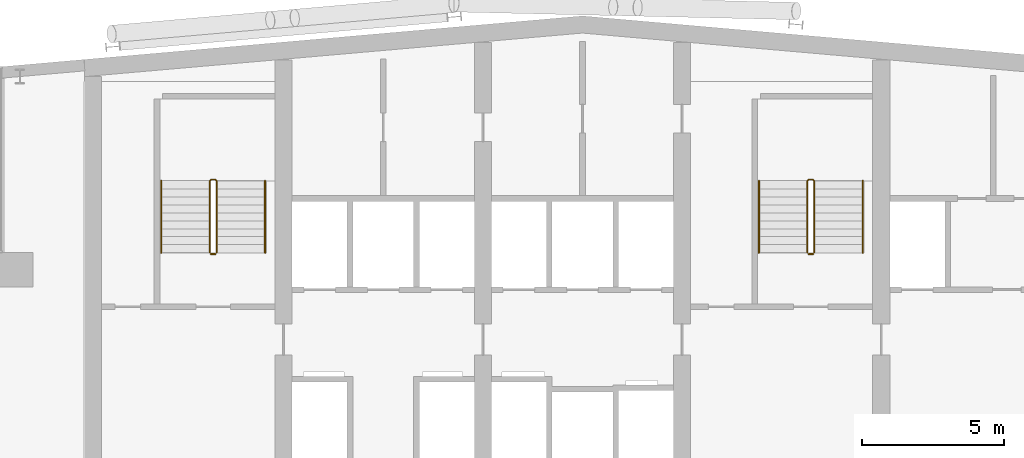
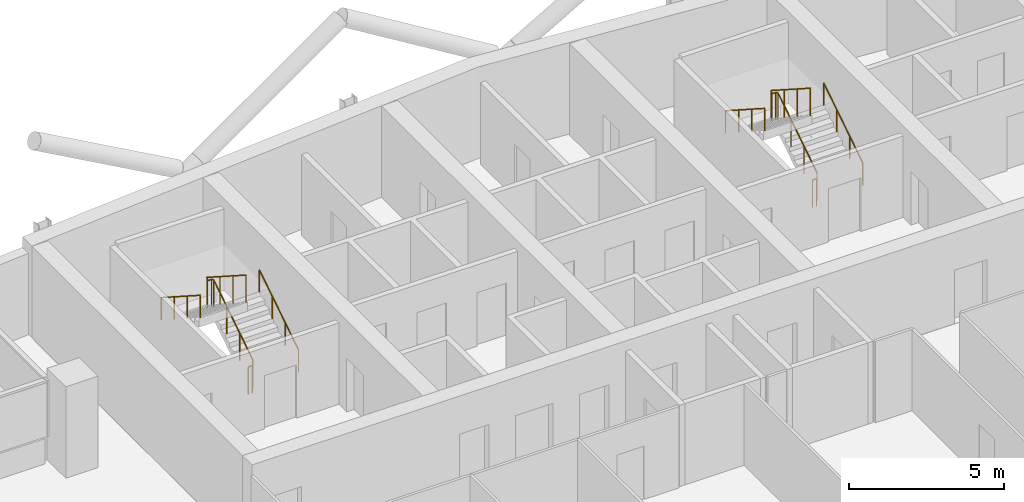
# One storey, part 26 of 26: 8 railings.
"""IFC4 building model written with IfcOpenShell, lengths in metres."""

from ifc_helpers import new_model, si_unit, direction, frame, origin, origin_2d, place, context, subcontext, project, spatial, circle, extrude, material, type_object, element, save


model = new_model("IFC4")

# Units and contexts
model_context = context("Model", 3, precision=1e-05, world=origin(), true_north=direction((0.0, 1.0)))
body_context = subcontext(model_context, "Body", "Model", "MODEL_VIEW")
ifc_project = project(units=[si_unit("LENGTHUNIT", "METRE"), si_unit("AREAUNIT", "SQUARE_METRE"), si_unit("VOLUMEUNIT", "CUBIC_METRE"), si_unit("PLANEANGLEUNIT", "RADIAN"), si_unit("MASSUNIT", "GRAM", prefix="KILO")], contexts=[model_context])

# Site, building, storey
site_placement = place(None, origin())
site = spatial("IfcSite", under=ifc_project, at=site_placement, CompositionType="ELEMENT")
building_placement = place(site_placement, origin())
building = spatial("IfcBuilding", under=site, at=building_placement, Name="Wharfspan Tower", CompositionType="ELEMENT")
storey_placement = place(building_placement, frame((0.0, 0.0, 214.300049)))
storey = spatial("IfcBuildingStorey", under=building, at=storey_placement, Name="L53", CompositionType="ELEMENT", Elevation=214.300049)

# Railings
ifc_material = material(Name="Steel S355J2", Category="steel")
railing_type_1 = type_object("IfcRailingType", Name="Stair guard 1100", PredefinedType="GUARDRAIL", material=ifc_material)
railing_1_placement = place(storey_placement, frame((27.649902, 42.0, 0.179932)))
element("IfcRailing", 1, at=railing_1_placement, inside=storey, type_object=railing_type_1, Name="L53 ST1 stair guard 1", PredefinedType="GUARDRAIL", context=body_context, shape_type="SweptSolid", body=[
    extrude(circle(Radius=0.023926, at=origin_2d()), frame((0.0, 0.0, 1.076172), z_axis=(0.0, 0.841163, 0.540782), x_axis=(-1.0, 0.0, 0.0)), (0.0, 0.0, 1.0), 2.99585),
    extrude(circle(Radius=0.023926, at=origin_2d()), frame((0.0, 2.52002, 2.696289), z_axis=(-0.705376, 0.708834, 0.0), x_axis=(-0.708834, -0.705376, 0.0)), (0.0, 0.0, 1.0), 0.070557),
    extrude(circle(Radius=0.023926, at=origin_2d()), frame((-0.049805, 2.570068, 2.696289), z_axis=(-1.0, 0.0, 0.0), x_axis=(0.0, -1.0, 0.0)), (0.0, 0.0, 1.0), 0.150146),
    extrude(circle(Radius=0.023926, at=origin_2d()), frame((-0.199951, 2.570068, 2.696289), z_axis=(-0.258848, -0.258848, 0.930589), x_axis=(0.707107, -0.707107, 0.0)), (0.0, 0.0, 1.0), 0.193359),
    extrude(circle(Radius=0.023926, at=origin_2d()), frame((-0.25, 2.52002, 2.875977), z_axis=(0.0, -0.8412, 0.540725), x_axis=(1.0, 0.0, 0.0)), (0.0, 0.0, 1.0), 2.99585),
    extrude(circle(Radius=0.020996, at=origin_2d()), origin(), (0.0, 0.0, 1.0), 1.052002),
    extrude(circle(Radius=0.020996, at=origin_2d()), frame((0.0, 0.840088, 0.540039)), (0.0, 0.0, 1.0), 1.052002),
    extrude(circle(Radius=0.020996, at=origin_2d()), frame((0.0, 1.679932, 1.080078)), (0.0, 0.0, 1.0), 1.052002),
    extrude(circle(Radius=0.020996, at=origin_2d()), frame((0.0, 2.52002, 1.620117)), (0.0, 0.0, 1.0), 1.052002),
    extrude(circle(Radius=0.020996, at=origin_2d()), frame((-0.049805, 2.570068, 1.620117)), (0.0, 0.0, 1.0), 1.052002),
    extrude(circle(Radius=0.020996, at=origin_2d()), frame((-0.199951, 2.570068, 1.620117)), (0.0, 0.0, 1.0), 1.052002),
    extrude(circle(Radius=0.020996, at=origin_2d()), frame((-0.25, 2.52002, 1.800049)), (0.0, 0.0, 1.0), 1.052002),
    extrude(circle(Radius=0.020996, at=origin_2d()), frame((-0.25, 1.679932, 2.340088)), (0.0, 0.0, 1.0), 1.052002),
    extrude(circle(Radius=0.020996, at=origin_2d()), frame((-0.25, 0.840088, 2.879883)), (0.0, 0.0, 1.0), 1.052002),
    extrude(circle(Radius=0.020996, at=origin_2d()), frame((-0.25, 0.0, 3.419922)), (0.0, 0.0, 1.0), 1.052002),
])
railing_2_placement = place(storey_placement, frame((27.600098, 41.949951, 0.0)))
element("IfcRailing", 2, at=railing_2_placement, inside=storey, type_object=railing_type_1, Name="L53 ST1 stair guard 2", PredefinedType="GUARDRAIL", context=body_context, shape_type="SweptSolid", body=[
    extrude(circle(Radius=0.023926, at=origin_2d()), frame((0.0, 0.0, 1.076172), z_axis=(-1.0, 0.0, 0.0), x_axis=(0.0, -1.0, 0.0)), (0.0, 0.0, 1.0), 0.150146),
    extrude(circle(Radius=0.020996, at=origin_2d()), origin(), (0.0, 0.0, 1.0), 1.052002),
    extrude(circle(Radius=0.020996, at=origin_2d()), frame((-0.150146, 0.0, 0.0)), (0.0, 0.0, 1.0), 1.052002),
])
railing_3_placement = place(storey_placement, frame((48.649902, 42.0, 0.179932)))
element("IfcRailing", 3, at=railing_3_placement, inside=storey, type_object=railing_type_1, Name="L53 ST2 stair guard 1", PredefinedType="GUARDRAIL", context=body_context, shape_type="SweptSolid", body=[
    extrude(circle(Radius=0.023926, at=origin_2d()), frame((0.0, 0.0, 1.076172), z_axis=(0.0, 0.841163, 0.540782), x_axis=(-1.0, 0.0, 0.0)), (0.0, 0.0, 1.0), 2.99585),
    extrude(circle(Radius=0.023926, at=origin_2d()), frame((0.0, 2.52002, 2.696289), z_axis=(-0.705376, 0.708834, 0.0), x_axis=(-0.708834, -0.705376, 0.0)), (0.0, 0.0, 1.0), 0.070557),
    extrude(circle(Radius=0.023926, at=origin_2d()), frame((-0.049805, 2.570068, 2.696289), z_axis=(-1.0, 0.0, 0.0), x_axis=(0.0, -1.0, 0.0)), (0.0, 0.0, 1.0), 0.150146),
    extrude(circle(Radius=0.023926, at=origin_2d()), frame((-0.199951, 2.570068, 2.696289), z_axis=(-0.258848, -0.258848, 0.930589), x_axis=(0.707107, -0.707107, 0.0)), (0.0, 0.0, 1.0), 0.193359),
    extrude(circle(Radius=0.023926, at=origin_2d()), frame((-0.25, 2.52002, 2.875977), z_axis=(0.0, -0.8412, 0.540725), x_axis=(1.0, 0.0, 0.0)), (0.0, 0.0, 1.0), 2.99585),
    extrude(circle(Radius=0.020996, at=origin_2d()), origin(), (0.0, 0.0, 1.0), 1.052002),
    extrude(circle(Radius=0.020996, at=origin_2d()), frame((0.0, 0.840088, 0.540039)), (0.0, 0.0, 1.0), 1.052002),
    extrude(circle(Radius=0.020996, at=origin_2d()), frame((0.0, 1.679932, 1.080078)), (0.0, 0.0, 1.0), 1.052002),
    extrude(circle(Radius=0.020996, at=origin_2d()), frame((0.0, 2.52002, 1.620117)), (0.0, 0.0, 1.0), 1.052002),
    extrude(circle(Radius=0.020996, at=origin_2d()), frame((-0.049805, 2.570068, 1.620117)), (0.0, 0.0, 1.0), 1.052002),
    extrude(circle(Radius=0.020996, at=origin_2d()), frame((-0.199951, 2.570068, 1.620117)), (0.0, 0.0, 1.0), 1.052002),
    extrude(circle(Radius=0.020996, at=origin_2d()), frame((-0.25, 2.52002, 1.800049)), (0.0, 0.0, 1.0), 1.052002),
    extrude(circle(Radius=0.020996, at=origin_2d()), frame((-0.25, 1.679932, 2.340088)), (0.0, 0.0, 1.0), 1.052002),
    extrude(circle(Radius=0.020996, at=origin_2d()), frame((-0.25, 0.840088, 2.879883)), (0.0, 0.0, 1.0), 1.052002),
    extrude(circle(Radius=0.020996, at=origin_2d()), frame((-0.25, 0.0, 3.419922)), (0.0, 0.0, 1.0), 1.052002),
])
railing_4_placement = place(storey_placement, frame((48.600098, 41.949951, 0.0)))
element("IfcRailing", 4, at=railing_4_placement, inside=storey, type_object=railing_type_1, Name="L53 ST2 stair guard 2", PredefinedType="GUARDRAIL", context=body_context, shape_type="SweptSolid", body=[
    extrude(circle(Radius=0.023926, at=origin_2d()), frame((0.0, 0.0, 1.076172), z_axis=(-1.0, 0.0, 0.0), x_axis=(0.0, -1.0, 0.0)), (0.0, 0.0, 1.0), 0.150146),
    extrude(circle(Radius=0.020996, at=origin_2d()), origin(), (0.0, 0.0, 1.0), 1.052002),
    extrude(circle(Radius=0.020996, at=origin_2d()), frame((-0.150146, 0.0, 0.0)), (0.0, 0.0, 1.0), 1.052002),
])
railing_type_2 = type_object("IfcRailingType", Name="Stair handrail 900", PredefinedType="HANDRAIL", material=ifc_material)
railing_5_placement = place(storey_placement, frame((29.350098, 42.0, 0.179932)))
element("IfcRailing", 5, at=railing_5_placement, inside=storey, type_object=railing_type_2, Name="L53 ST1 stair handrail 1", PredefinedType="HANDRAIL", context=body_context, shape_type="SweptSolid", body=[
    extrude(circle(Radius=0.023926, at=origin_2d()), frame((0.0, 0.0, 0.875977), z_axis=(0.0, 0.841163, 0.540782), x_axis=(-1.0, 0.0, 0.0)), (0.0, 0.0, 1.0), 2.99585),
    extrude(circle(Radius=0.020996, at=origin_2d()), origin(), (0.0, 0.0, 1.0), 0.851807),
    extrude(circle(Radius=0.020996, at=origin_2d()), frame((0.0, 0.840088, 0.540039)), (0.0, 0.0, 1.0), 0.851807),
    extrude(circle(Radius=0.020996, at=origin_2d()), frame((0.0, 1.679932, 1.080078)), (0.0, 0.0, 1.0), 0.851807),
    extrude(circle(Radius=0.020996, at=origin_2d()), frame((0.0, 2.52002, 1.620117)), (0.0, 0.0, 1.0), 0.851807),
])
railing_6_placement = place(storey_placement, frame((25.699951, 44.52002, 1.97998)))
element("IfcRailing", 6, at=railing_6_placement, inside=storey, type_object=railing_type_2, Name="L53 ST1 stair handrail 2", PredefinedType="HANDRAIL", context=body_context, shape_type="SweptSolid", body=[
    extrude(circle(Radius=0.023926, at=origin_2d()), frame((0.0, 0.0, 0.875977), z_axis=(0.0, -0.8412, 0.540725), x_axis=(1.0, 0.0, 0.0)), (0.0, 0.0, 1.0), 2.99585),
    extrude(circle(Radius=0.020996, at=origin_2d()), origin(), (0.0, 0.0, 1.0), 0.851807),
    extrude(circle(Radius=0.020996, at=origin_2d()), frame((0.0, -0.840088, 0.540039)), (0.0, 0.0, 1.0), 0.851807),
    extrude(circle(Radius=0.020996, at=origin_2d()), frame((0.0, -1.679932, 1.079834)), (0.0, 0.0, 1.0), 0.851807),
    extrude(circle(Radius=0.020996, at=origin_2d()), frame((0.0, -2.52002, 1.619873)), (0.0, 0.0, 1.0), 0.851807),
])
railing_7_placement = place(storey_placement, frame((50.350098, 42.0, 0.179932)))
element("IfcRailing", 7, at=railing_7_placement, inside=storey, type_object=railing_type_2, Name="L53 ST2 stair handrail 1", PredefinedType="HANDRAIL", context=body_context, shape_type="SweptSolid", body=[
    extrude(circle(Radius=0.023926, at=origin_2d()), frame((0.0, 0.0, 0.875977), z_axis=(0.0, 0.841163, 0.540782), x_axis=(-1.0, 0.0, 0.0)), (0.0, 0.0, 1.0), 2.99585),
    extrude(circle(Radius=0.020996, at=origin_2d()), origin(), (0.0, 0.0, 1.0), 0.851807),
    extrude(circle(Radius=0.020996, at=origin_2d()), frame((0.0, 0.840088, 0.540039)), (0.0, 0.0, 1.0), 0.851807),
    extrude(circle(Radius=0.020996, at=origin_2d()), frame((0.0, 1.679932, 1.080078)), (0.0, 0.0, 1.0), 0.851807),
    extrude(circle(Radius=0.020996, at=origin_2d()), frame((0.0, 2.52002, 1.620117)), (0.0, 0.0, 1.0), 0.851807),
])
railing_8_placement = place(storey_placement, frame((46.699951, 44.52002, 1.97998)))
element("IfcRailing", 8, at=railing_8_placement, inside=storey, type_object=railing_type_2, Name="L53 ST2 stair handrail 2", PredefinedType="HANDRAIL", context=body_context, shape_type="SweptSolid", body=[
    extrude(circle(Radius=0.023926, at=origin_2d()), frame((0.0, 0.0, 0.875977), z_axis=(0.0, -0.8412, 0.540725), x_axis=(1.0, 0.0, 0.0)), (0.0, 0.0, 1.0), 2.99585),
    extrude(circle(Radius=0.020996, at=origin_2d()), origin(), (0.0, 0.0, 1.0), 0.851807),
    extrude(circle(Radius=0.020996, at=origin_2d()), frame((0.0, -0.840088, 0.540039)), (0.0, 0.0, 1.0), 0.851807),
    extrude(circle(Radius=0.020996, at=origin_2d()), frame((0.0, -1.679932, 1.079834)), (0.0, 0.0, 1.0), 0.851807),
    extrude(circle(Radius=0.020996, at=origin_2d()), frame((0.0, -2.52002, 1.619873)), (0.0, 0.0, 1.0), 0.851807),
])

save(model, "model.ifc")
